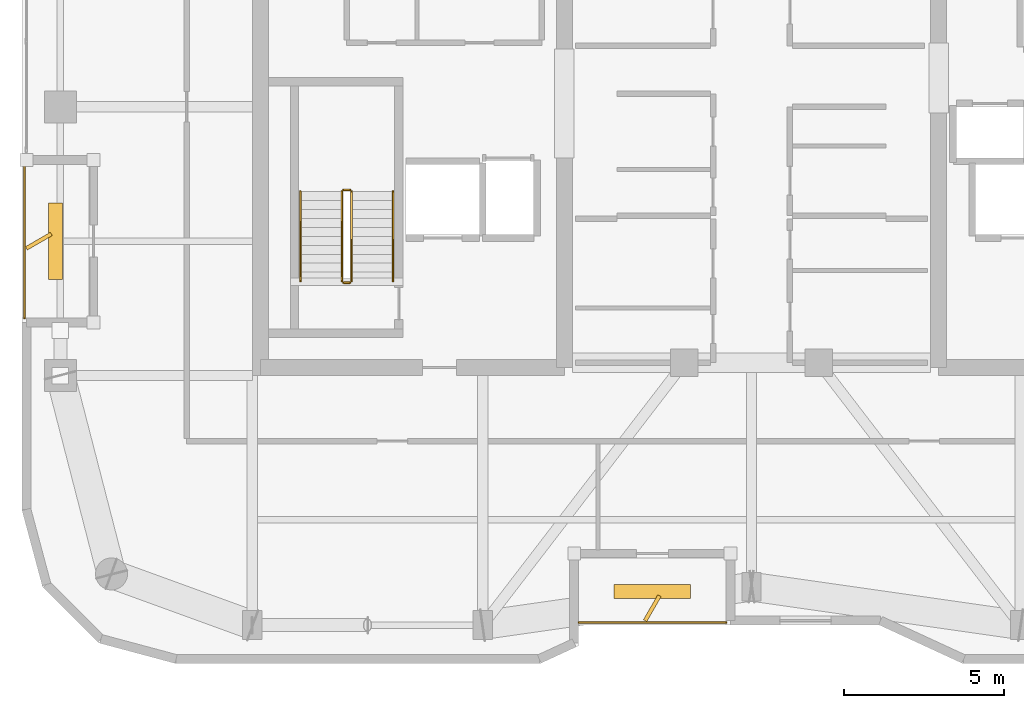
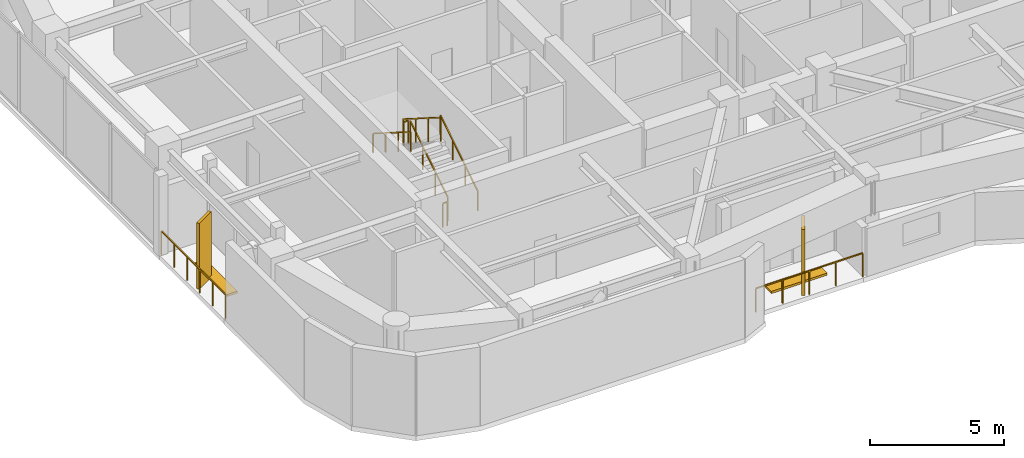
# One storey, part 14 of 15: 8 railings, 4 shading devices.
"""IFC4 building model written with IfcOpenShell, lengths in metres."""

from ifc_helpers import new_model, si_unit, direction, frame, origin, origin_2d, place, context, subcontext, project, spatial, rectangle, extrude, material, type_object, element, save


model = new_model("IFC4")

# Units and contexts
model_context = context("Model", 3, precision=1e-05, world=origin(), true_north=direction((0.0, 1.0)))
body_context = subcontext(model_context, "Body", "Model", "MODEL_VIEW")
ifc_project = project(units=[si_unit("LENGTHUNIT", "METRE"), si_unit("AREAUNIT", "SQUARE_METRE"), si_unit("VOLUMEUNIT", "CUBIC_METRE"), si_unit("PLANEANGLEUNIT", "RADIAN"), si_unit("MASSUNIT", "GRAM", prefix="KILO")], contexts=[model_context])

# Site, building, storey
site_placement = place(None, origin())
site = spatial("IfcSite", under=ifc_project, at=site_placement, CompositionType="ELEMENT")
building_placement = place(site_placement, origin())
building = spatial("IfcBuilding", under=site, at=building_placement, Name="Kiyonajd Concourse Tower", CompositionType="ELEMENT")
storey_placement = place(building_placement, frame((0.0, 0.0, 278.39990234375)))
storey = spatial("IfcBuildingStorey", under=building, at=storey_placement, Name="L70", CompositionType="ELEMENT", Elevation=278.39990234375)

# Railings
ifc_material_1 = material(Name="Thermally Broken Anodised Aluminium", Category="aluminium")
railing_type_1 = type_object("IfcRailingType", Name="RL-GRD-LOG", PredefinedType="GUARDRAIL", material=ifc_material_1)
railing_1_placement = place(storey_placement, frame((42.60009765625, 19.8798828125, 0.0)))
element("IfcRailing", 1, at=railing_1_placement, inside=storey, type_object=railing_type_1, Name="L70 Engawa Loggia Perimeter Guard LOG-S", PredefinedType="GUARDRAIL", context=body_context, shape_type="SweptSolid", body=[
    extrude(rectangle(XDim=0.048095703125, YDim=0.048095703125, at=origin_2d()), frame((0.0, 0.0, 1.076171875), z_axis=(1.0, 0.0, 0.0), x_axis=(0.0, 1.0, 0.0)), (0.0, 0.0, 1.0), 4.599853515625),
    extrude(rectangle(XDim=0.0419921875, YDim=0.0419921875, at=origin_2d()), origin(), (0.0, 0.0, 1.0), 1.052001953125),
    extrude(rectangle(XDim=0.0419921875, YDim=0.0419921875, at=origin_2d()), frame((1.14990234375, 0.0, 0.0)), (0.0, 0.0, 1.0), 1.052001953125),
    extrude(rectangle(XDim=0.0419921875, YDim=0.0419921875, at=origin_2d()), frame((2.2998046875, 0.0, 0.0)), (0.0, 0.0, 1.0), 1.052001953125),
    extrude(rectangle(XDim=0.0419921875, YDim=0.0419921875, at=origin_2d()), frame((3.449951171875, 0.0, 0.0)), (0.0, 0.0, 1.0), 1.052001953125),
    extrude(rectangle(XDim=0.0419921875, YDim=0.0419921875, at=origin_2d()), frame((4.599853515625, 0.0, 0.0)), (0.0, 0.0, 1.0), 1.052001953125),
])
railing_2_placement = place(storey_placement, frame((25.280029296875, 34.199951171875, 0.0)))
element("IfcRailing", 2, at=railing_2_placement, inside=storey, type_object=railing_type_1, Name="L70 Engawa Loggia Perimeter Guard LOG-W", PredefinedType="GUARDRAIL", context=body_context, shape_type="SweptSolid", body=[
    extrude(rectangle(XDim=0.048095703125, YDim=0.048095703125, at=origin_2d()), frame((0.0, 0.0, 1.076171875), z_axis=(0.0, -1.0, 0.0), x_axis=(1.0, 0.0, 0.0)), (0.0, 0.0, 1.0), 4.800048828125),
    extrude(rectangle(XDim=0.0419921875, YDim=0.0419921875, at=origin_2d()), origin(), (0.0, 0.0, 1.0), 1.052001953125),
    extrude(rectangle(XDim=0.0419921875, YDim=0.0419921875, at=origin_2d()), frame((0.0, -0.9599609375, 0.0)), (0.0, 0.0, 1.0), 1.052001953125),
    extrude(rectangle(XDim=0.0419921875, YDim=0.0419921875, at=origin_2d()), frame((0.0, -1.919921875, 0.0)), (0.0, 0.0, 1.0), 1.052001953125),
    extrude(rectangle(XDim=0.0419921875, YDim=0.0419921875, at=origin_2d()), frame((0.0, -2.880126953125, 0.0)), (0.0, 0.0, 1.0), 1.052001953125),
    extrude(rectangle(XDim=0.0419921875, YDim=0.0419921875, at=origin_2d()), frame((0.0, -3.840087890625, 0.0)), (0.0, 0.0, 1.0), 1.052001953125),
    extrude(rectangle(XDim=0.0419921875, YDim=0.0419921875, at=origin_2d()), frame((0.0, -4.800048828125, 0.0)), (0.0, 0.0, 1.0), 1.052001953125),
])
ifc_material_2 = material(Name="Steel ASTM A500 Grade C", Category="steel")
railing_type_2 = type_object("IfcRailingType", Name="RL-GRD-STR", PredefinedType="GUARDRAIL", material=ifc_material_2)
railing_3_placement = place(storey_placement, frame((35.5, 30.550048828125, 0.177490234375)))
element("IfcRailing", 3, at=railing_3_placement, inside=storey, type_object=railing_type_2, Name="L70 ST1 stair guard 1", PredefinedType="GUARDRAIL", context=body_context, shape_type="SweptSolid", body=[
    extrude(rectangle(XDim=0.048095703125, YDim=0.048095703125, at=origin_2d()), frame((0.0, 0.0, 1.076171875), z_axis=(0.0, 0.844908973607, 0.534910110503), x_axis=(-1.0, 0.0, 0.0)), (0.0, 0.0, 1.0), 3.31396484375),
    extrude(rectangle(XDim=0.0419921875, YDim=0.0419921875, at=origin_2d()), origin(), (0.0, 0.0, 1.0), 1.052001953125),
    extrude(rectangle(XDim=0.0419921875, YDim=0.0419921875, at=origin_2d()), frame((0.0, 0.933349609375, 0.5908203125)), (0.0, 0.0, 1.0), 1.052001953125),
    extrude(rectangle(XDim=0.0419921875, YDim=0.0419921875, at=origin_2d()), frame((0.0, 1.86669921875, 1.181884765625)), (0.0, 0.0, 1.0), 1.052001953125),
    extrude(rectangle(XDim=0.0419921875, YDim=0.0419921875, at=origin_2d()), frame((0.0, 2.800048828125, 1.772705078125)), (0.0, 0.0, 1.0), 1.052001953125),
])
railing_4_placement = place(storey_placement, frame((35.449951171875, 33.39990234375, 1.9501953125)))
element("IfcRailing", 4, at=railing_4_placement, inside=storey, type_object=railing_type_2, Name="L70 ST1 stair guard 2", PredefinedType="GUARDRAIL", context=body_context, shape_type="SweptSolid", body=[
    extrude(rectangle(XDim=0.048095703125, YDim=0.048095703125, at=origin_2d()), frame((0.0, 0.0, 1.076171875), z_axis=(-1.0, 0.0, 0.0), x_axis=(0.0, -1.0, 0.0)), (0.0, 0.0, 1.0), 0.199951171875),
    extrude(rectangle(XDim=0.0419921875, YDim=0.0419921875, at=origin_2d()), origin(), (0.0, 0.0, 1.0), 1.052001953125),
    extrude(rectangle(XDim=0.0419921875, YDim=0.0419921875, at=origin_2d()), frame((-0.199951171875, 0.0, 0.0)), (0.0, 0.0, 1.0), 1.052001953125),
])
railing_5_placement = place(storey_placement, frame((35.199951171875, 33.35009765625, 2.12744140625)))
element("IfcRailing", 5, at=railing_5_placement, inside=storey, type_object=railing_type_2, Name="L70 ST1 stair guard 3", PredefinedType="GUARDRAIL", context=body_context, shape_type="SweptSolid", body=[
    extrude(rectangle(XDim=0.048095703125, YDim=0.048095703125, at=origin_2d()), frame((0.0, 0.0, 1.076171875), z_axis=(0.0, -0.844908973607, 0.534910110503), x_axis=(1.0, 0.0, 0.0)), (0.0, 0.0, 1.0), 3.31396484375),
    extrude(rectangle(XDim=0.0419921875, YDim=0.0419921875, at=origin_2d()), origin(), (0.0, 0.0, 1.0), 1.052001953125),
    extrude(rectangle(XDim=0.0419921875, YDim=0.0419921875, at=origin_2d()), frame((0.0, -0.933349609375, 0.5908203125)), (0.0, 0.0, 1.0), 1.052001953125),
    extrude(rectangle(XDim=0.0419921875, YDim=0.0419921875, at=origin_2d()), frame((0.0, -1.86669921875, 1.181884765625)), (0.0, 0.0, 1.0), 1.052001953125),
    extrude(rectangle(XDim=0.0419921875, YDim=0.0419921875, at=origin_2d()), frame((0.0, -2.800048828125, 1.772705078125)), (0.0, 0.0, 1.0), 1.052001953125),
])
railing_6_placement = place(storey_placement, frame((35.449951171875, 30.5, 0.0)))
element("IfcRailing", 6, at=railing_6_placement, inside=storey, type_object=railing_type_2, Name="L70 ST1 stair guard 4", PredefinedType="GUARDRAIL", context=body_context, shape_type="SweptSolid", body=[
    extrude(rectangle(XDim=0.048095703125, YDim=0.048095703125, at=origin_2d()), frame((0.0, 0.0, 1.076171875), z_axis=(-1.0, 0.0, 0.0), x_axis=(0.0, -1.0, 0.0)), (0.0, 0.0, 1.0), 0.199951171875),
    extrude(rectangle(XDim=0.0419921875, YDim=0.0419921875, at=origin_2d()), origin(), (0.0, 0.0, 1.0), 1.052001953125),
    extrude(rectangle(XDim=0.0419921875, YDim=0.0419921875, at=origin_2d()), frame((-0.199951171875, 0.0, 0.0)), (0.0, 0.0, 1.0), 1.052001953125),
])
ifc_material_3 = material(Name="Brushed Stainless Steel Cab Assembly", Category="steel")
railing_type_3 = type_object("IfcRailingType", Name="RL-HND-900", PredefinedType="HANDRAIL", material=ifc_material_3)
railing_7_placement = place(storey_placement, frame((36.800048828125, 30.550048828125, 0.177490234375)))
element("IfcRailing", 7, at=railing_7_placement, inside=storey, type_object=railing_type_3, Name="L70 ST1 stair handrail 1", PredefinedType="HANDRAIL", context=body_context, shape_type="SweptSolid", body=[
    extrude(rectangle(XDim=0.048095703125, YDim=0.048095703125, at=origin_2d()), frame((0.0, 0.0, 0.8759765625), z_axis=(0.0, 0.844908973607, 0.534910110503), x_axis=(-1.0, 0.0, 0.0)), (0.0, 0.0, 1.0), 3.31396484375),
    extrude(rectangle(XDim=0.0419921875, YDim=0.0419921875, at=origin_2d()), origin(), (0.0, 0.0, 1.0), 0.851806640625),
    extrude(rectangle(XDim=0.0419921875, YDim=0.0419921875, at=origin_2d()), frame((0.0, 0.933349609375, 0.5908203125)), (0.0, 0.0, 1.0), 0.851806640625),
    extrude(rectangle(XDim=0.0419921875, YDim=0.0419921875, at=origin_2d()), frame((0.0, 1.86669921875, 1.181884765625)), (0.0, 0.0, 1.0), 0.851806640625),
    extrude(rectangle(XDim=0.0419921875, YDim=0.0419921875, at=origin_2d()), frame((0.0, 2.800048828125, 1.772705078125)), (0.0, 0.0, 1.0), 0.851806640625),
])
railing_8_placement = place(storey_placement, frame((33.89990234375, 33.35009765625, 2.12744140625)))
element("IfcRailing", 8, at=railing_8_placement, inside=storey, type_object=railing_type_3, Name="L70 ST1 stair handrail 2", PredefinedType="HANDRAIL", context=body_context, shape_type="SweptSolid", body=[
    extrude(rectangle(XDim=0.048095703125, YDim=0.048095703125, at=origin_2d()), frame((0.0, 0.0, 0.8759765625), z_axis=(0.0, -0.844908973607, 0.534910110503), x_axis=(1.0, 0.0, 0.0)), (0.0, 0.0, 1.0), 3.31396484375),
    extrude(rectangle(XDim=0.0419921875, YDim=0.0419921875, at=origin_2d()), origin(), (0.0, 0.0, 1.0), 0.851806640625),
    extrude(rectangle(XDim=0.0419921875, YDim=0.0419921875, at=origin_2d()), frame((0.0, -0.933349609375, 0.5908203125)), (0.0, 0.0, 1.0), 0.851806640625),
    extrude(rectangle(XDim=0.0419921875, YDim=0.0419921875, at=origin_2d()), frame((0.0, -1.86669921875, 1.181884765625)), (0.0, 0.0, 1.0), 0.851806640625),
    extrude(rectangle(XDim=0.0419921875, YDim=0.0419921875, at=origin_2d()), frame((0.0, -2.800048828125, 1.772705078125)), (0.0, 0.0, 1.0), 0.851806640625),
])

# Shading devices
ifc_material_4 = material(Name="Precast concrete C50/60", Category="concrete")
shading_device_type_1 = type_object("IfcShadingDeviceType", Name="SH-FIN-900", PredefinedType="USERDEFINED", material=ifc_material_4)
for number, where, z_axis, x_axis, name in (
    (9, (44.89990234375, 20.330078125, 0.0), (0.0, 0.0, 1.0), (0.5, 0.866025403784, 0.0), "L70 Angled Koshi Solar Fin LOG-S"),
    (10, (25.72998046875, 31.800048828125, 0.0), (0.0, 0.0, 1.0), (0.866025403784, 0.5, 0.0), "L70 Angled Koshi Solar Fin LOG-W"),
):
    element("IfcShadingDevice", number, at=place(storey_placement, frame(where, z_axis=z_axis, x_axis=x_axis)), inside=storey, type_object=shading_device_type_1, Name=name, ObjectType="FIN", PredefinedType="USERDEFINED", context=body_context, shape_type="SweptSolid", body=[
        extrude(rectangle(XDim=0.89990234375, YDim=0.1201171875, at=origin_2d()), origin(), (0.0, 0.0, 1.0), 3.0),
    ])
shading_device_type_2 = type_object("IfcShadingDeviceType", Name="SH-LVR-600", PredefinedType="JALOUSIE", material=ifc_material_1)
for number, where, z_axis, x_axis, name in (
    (11, (44.89990234375, 20.85009765625, 0.0), (0.0, 0.0, 1.0), (1.0, 0.0, 0.0), "L70 Loggia Threshold Louver LOG-S"),
    (12, (26.25, 31.800048828125, 0.0), (0.0, 0.0, 1.0), (0.0, 1.0, 0.0), "L70 Loggia Threshold Louver LOG-W"),
):
    element("IfcShadingDevice", number, at=place(storey_placement, frame(where, z_axis=z_axis, x_axis=x_axis)), inside=storey, type_object=shading_device_type_2, Name=name, PredefinedType="JALOUSIE", context=body_context, shape_type="SweptSolid", body=[
        extrude(rectangle(XDim=2.39990234375, YDim=0.449951171875, at=origin_2d()), origin(), (0.0, 0.0, 1.0), 0.10009765625),
    ])

save(model, "model.ifc")
